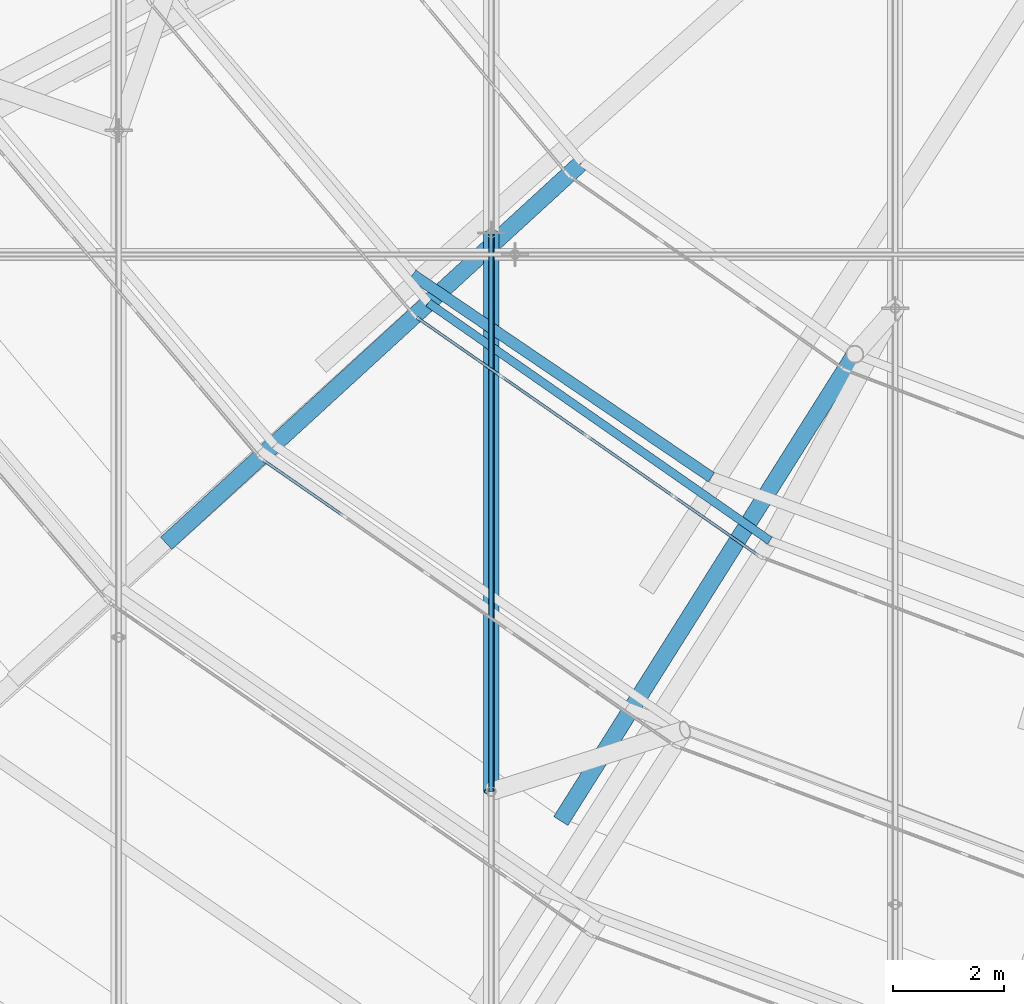
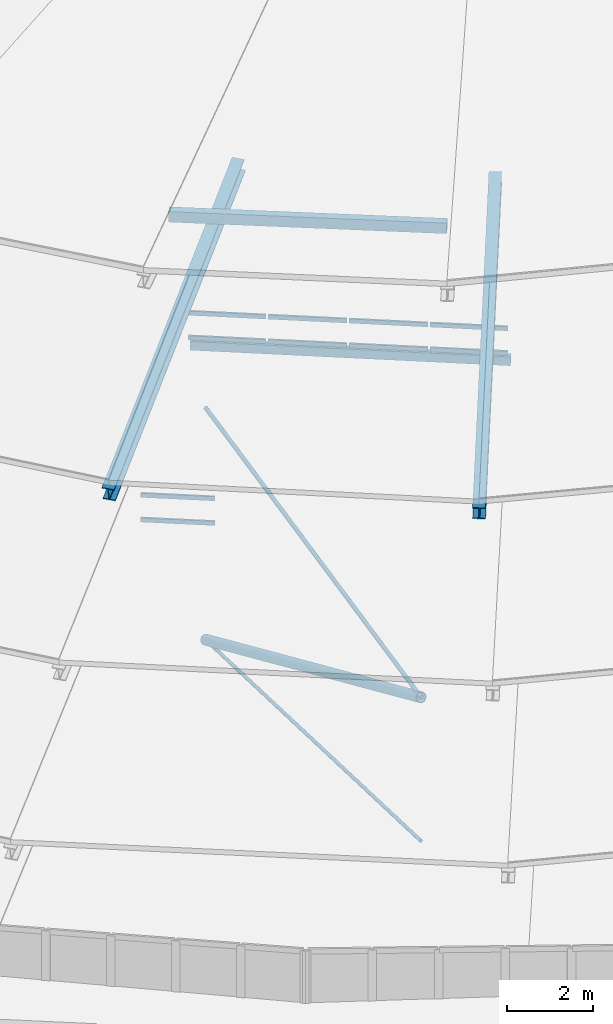
# One storey, part 6 of 173: 17 members, 2 elements without a shape of their own.
"""IFC4 building model written with IfcOpenShell, lengths in metres."""

from ifc_helpers import new_model, si_unit, direction, frame, origin, origin_2d, place, context, subcontext, project, spatial, rectangle, hollow_rectangle, circle, hollow_circle, i_section, extrude, material, material_profile, profile_set, type_object, element, aggregate, save


model = new_model("IFC4")

# Units and contexts
model_context = context("Model", 3, precision=1e-05, world=origin(), true_north=direction((0.0, 1.0)))
body_context = subcontext(model_context, "Body", "Model", "MODEL_VIEW")
ifc_project = project(units=[si_unit("LENGTHUNIT", "METRE"), si_unit("AREAUNIT", "SQUARE_METRE"), si_unit("VOLUMEUNIT", "CUBIC_METRE"), si_unit("PLANEANGLEUNIT", "RADIAN"), si_unit("MASSUNIT", "GRAM", prefix="KILO")], contexts=[model_context])

# Site, building, storey
site_placement = place(None, origin())
site = spatial("IfcSite", under=ifc_project, at=site_placement, CompositionType="ELEMENT")
building_placement = place(site_placement, origin())
building = spatial("IfcBuilding", under=site, at=building_placement, Name="Glasvene Arena", CompositionType="ELEMENT")
storey_placement = place(building_placement, frame((0.0, 0.0, 28.800048828125)))
storey = spatial("IfcBuildingStorey", under=building, at=storey_placement, Name="RF", CompositionType="ELEMENT", Elevation=28.800048828125)

# Curtain wall, members
ifc_material_1 = material(Name="Low-emissivity laminated double glazing", Category="glass")
curtain_wall_type_1 = type_object("IfcCurtainWallType", Name="CW-PET2-905x75", PredefinedType="USERDEFINED", material=ifc_material_1)
curtain_wall_1_placement = place(storey_placement, frame((65.164794921875, 48.904296875, 0.0)))
curtain_wall_1 = element("IfcCurtainWall", 1, at=curtain_wall_1_placement, inside=storey, type_object=curtain_wall_type_1, Name="Petal ring 2-3 clerestory curtain wall 16", ObjectType="CURTAIN WALL", PredefinedType="USERDEFINED")
ifc_material_2 = material(Name="Anodised architectural aluminium", Category="aluminium")
ifc_material_profile_1 = material_profile(ifc_material_2, rectangle(XDim=0.050048828125, YDim=0.1201171875, at=origin_2d()), Name="ALU TRANSOM 50x120")
ifc_profile_set_1 = profile_set([ifc_material_profile_1], Name="Anodised architectural aluminium")
member_type_1 = type_object("IfcMemberType", Name="CW-TRN-120", PredefinedType="USERDEFINED", material=ifc_profile_set_1)
member_1_placement = place(storey_placement, frame((65.2060546875, 48.8759765625, 5.204833984375), z_axis=(0.821644611614, -0.57000011597, 0.0), x_axis=(0.57000011597, 0.821644611614, 0.0)))
member_1 = element("IfcMember", 2, at=member_1_placement, type_object=member_type_1, Name="CW-090 transom 1.1", ObjectType="TRANSOM", PredefinedType="USERDEFINED", context=body_context, shape_type="SweptSolid", body=[
    extrude(rectangle(XDim=0.050048828125, YDim=0.1201171875, at=origin_2d()), origin(), (0.0, 0.0, 1.0), 1.734619140625),
])
member_2_placement = place(storey_placement, frame((65.2060546875, 48.8759765625, 5.905029296875), z_axis=(0.821644611614, -0.57000011597, 0.0), x_axis=(0.57000011597, 0.821644611614, 0.0)))
member_2 = element("IfcMember", 3, at=member_2_placement, type_object=member_type_1, Name="CW-090 transom 1.2", ObjectType="TRANSOM", PredefinedType="USERDEFINED", context=body_context, shape_type="SweptSolid", body=[
    extrude(rectangle(XDim=0.050048828125, YDim=0.1201171875, at=origin_2d()), origin(), (0.0, 0.0, 1.0), 1.734619140625),
])
aggregate(curtain_wall_1, [member_1, member_2])

curtain_wall_type_2 = type_object("IfcCurtainWallType", Name="CW-PET3-756x75", PredefinedType="USERDEFINED", material=ifc_material_1)
curtain_wall_2_placement = place(storey_placement, frame((67.922119140625, 51.466796875, 0.0)))
curtain_wall_2 = element("IfcCurtainWall", 4, at=curtain_wall_2_placement, inside=storey, type_object=curtain_wall_type_2, Name="Petal ring 3-4 clerestory curtain wall 16", ObjectType="CURTAIN WALL", PredefinedType="USERDEFINED")
member_3_placement = place(storey_placement, frame((67.963134765625, 51.438232421875, 7.85498046875), z_axis=(0.82043066746, -0.571746027438, 0.0), x_axis=(0.571746027438, 0.82043066746, 0.0)))
member_3 = element("IfcMember", 5, at=member_3_placement, type_object=member_type_1, Name="CW-096 transom 1.1", ObjectType="TRANSOM", PredefinedType="USERDEFINED", context=body_context, shape_type="SweptSolid", body=[
    extrude(rectangle(XDim=0.050048828125, YDim=0.1201171875, at=origin_2d()), origin(), (0.0, 0.0, 1.0), 1.815185546875),
])
member_4_placement = place(storey_placement, frame((67.963134765625, 51.438232421875, 8.554931640625), z_axis=(0.82043066746, -0.571746027438, 0.0), x_axis=(0.571746027438, 0.82043066746, 0.0)))
member_4 = element("IfcMember", 6, at=member_4_placement, type_object=member_type_1, Name="CW-096 transom 1.2", ObjectType="TRANSOM", PredefinedType="USERDEFINED", context=body_context, shape_type="SweptSolid", body=[
    extrude(rectangle(XDim=0.050048828125, YDim=0.1201171875, at=origin_2d()), origin(), (0.0, 0.0, 1.0), 1.815185546875),
])
member_5_placement = place(storey_placement, frame((69.493408203125, 50.371826171875, 7.85498046875), z_axis=(0.820401938447, -0.571787250114, 0.0), x_axis=(0.571787250114, 0.820401938447, 0.0)))
member_5 = element("IfcMember", 7, at=member_5_placement, type_object=member_type_1, Name="CW-096 transom 2.1", ObjectType="TRANSOM", PredefinedType="USERDEFINED", context=body_context, shape_type="SweptSolid", body=[
    extrude(rectangle(XDim=0.050048828125, YDim=0.1201171875, at=origin_2d()), origin(), (0.0, 0.0, 1.0), 1.84033203125),
])
member_6_placement = place(storey_placement, frame((69.493408203125, 50.371826171875, 8.554931640625), z_axis=(0.820401938447, -0.571787250114, 0.0), x_axis=(0.571787250114, 0.820401938447, 0.0)))
member_6 = element("IfcMember", 8, at=member_6_placement, type_object=member_type_1, Name="CW-096 transom 2.2", ObjectType="TRANSOM", PredefinedType="USERDEFINED", context=body_context, shape_type="SweptSolid", body=[
    extrude(rectangle(XDim=0.050048828125, YDim=0.1201171875, at=origin_2d()), origin(), (0.0, 0.0, 1.0), 1.84033203125),
])
member_7_placement = place(storey_placement, frame((71.044189453125, 49.291015625, 7.85498046875), z_axis=(0.820420800475, -0.571760185872, 0.0), x_axis=(0.571760185872, 0.820420800475, 0.0)))
member_7 = element("IfcMember", 9, at=member_7_placement, type_object=member_type_1, Name="CW-096 transom 3.1", ObjectType="TRANSOM", PredefinedType="USERDEFINED", context=body_context, shape_type="SweptSolid", body=[
    extrude(rectangle(XDim=0.050048828125, YDim=0.1201171875, at=origin_2d()), origin(), (0.0, 0.0, 1.0), 1.83984375),
])
member_8_placement = place(storey_placement, frame((71.044189453125, 49.291015625, 8.554931640625), z_axis=(0.820420800475, -0.571760185872, 0.0), x_axis=(0.571760185872, 0.820420800475, 0.0)))
member_8 = element("IfcMember", 10, at=member_8_placement, type_object=member_type_1, Name="CW-096 transom 3.2", ObjectType="TRANSOM", PredefinedType="USERDEFINED", context=body_context, shape_type="SweptSolid", body=[
    extrude(rectangle(XDim=0.050048828125, YDim=0.1201171875, at=origin_2d()), origin(), (0.0, 0.0, 1.0), 1.83984375),
])
member_9_placement = place(storey_placement, frame((72.5947265625, 48.21044921875, 7.85498046875), z_axis=(0.82043066746, -0.571746027438, 0.0), x_axis=(0.571746027438, 0.82043066746, 0.0)))
member_9 = element("IfcMember", 11, at=member_9_placement, type_object=member_type_1, Name="CW-096 transom 4.1", ObjectType="TRANSOM", PredefinedType="USERDEFINED", context=body_context, shape_type="SweptSolid", body=[
    extrude(rectangle(XDim=0.050048828125, YDim=0.1201171875, at=origin_2d()), origin(), (0.0, 0.0, 1.0), 1.815185546875),
])
member_10_placement = place(storey_placement, frame((72.5947265625, 48.21044921875, 8.554931640625), z_axis=(0.82043066746, -0.571746027438, 0.0), x_axis=(0.571746027438, 0.82043066746, 0.0)))
member_10 = element("IfcMember", 12, at=member_10_placement, type_object=member_type_1, Name="CW-096 transom 4.2", ObjectType="TRANSOM", PredefinedType="USERDEFINED", context=body_context, shape_type="SweptSolid", body=[
    extrude(rectangle(XDim=0.050048828125, YDim=0.1201171875, at=origin_2d()), origin(), (0.0, 0.0, 1.0), 1.815185546875),
])
aggregate(curtain_wall_2, [member_3, member_4, member_5, member_6, member_7, member_8, member_9, member_10])

# Members
ifc_material_3 = material(Name="High-strength steel spiral strand S460", Category="steel")
ifc_material_profile_2 = material_profile(ifc_material_3, circle(Radius=0.052490234375, at=origin_2d()), Name="LCSS D105")
ifc_profile_set_2 = profile_set([ifc_material_profile_2], Name="High-strength steel spiral strand S460")
member_type_2 = type_object("IfcMemberType", Name="MB-CABLE-105", PredefinedType="USERDEFINED", material=ifc_profile_set_2)
member_11_placement = place(storey_placement, frame((69.300537109375, 42.928466796875, 2.328857421875), z_axis=(0.0, 0.977881115571, 0.209161477835), x_axis=(-1.0, 0.0, 0.0)))
element("IfcMember", 13, at=member_11_placement, inside=storey, type_object=member_type_2, Name="Upper lens roof cable NS08-02", ObjectType="ROOF CABLE", PredefinedType="USERDEFINED", context=body_context, shape_type="SweptSolid", body=[
    extrude(circle(Radius=0.052490234375, at=origin_2d()), origin(), (0.0, 0.0, 1.0), 10.250732421875),
])
ifc_material_profile_3 = material_profile(ifc_material_3, circle(Radius=0.044921875, at=origin_2d()), Name="LCSS D90")
ifc_profile_set_3 = profile_set([ifc_material_profile_3], Name="High-strength steel spiral strand S460")
member_type_3 = type_object("IfcMemberType", Name="MB-CABLE-90", PredefinedType="USERDEFINED", material=ifc_profile_set_3)
member_12_placement = place(storey_placement, frame((69.300537109375, 42.928466796875, -1.753173828125), z_axis=(0.0, 0.999357945896, -0.035828703209), x_axis=(-1.0, 0.0, 0.0)))
element("IfcMember", 14, at=member_12_placement, inside=storey, type_object=member_type_3, Name="Lower stabilization roof cable NS08-02", ObjectType="ROOF CABLE", PredefinedType="USERDEFINED", context=body_context, shape_type="SweptSolid", body=[
    extrude(circle(Radius=0.044921875, at=origin_2d()), origin(), (0.0, 0.0, 1.0), 10.0302734375),
])
ifc_material_4 = material(Name="Steel S355J2", Category="steel")
ifc_material_profile_4 = material_profile(ifc_material_4, i_section(OverallWidth=0.300048828125, OverallDepth=0.39990234375, WebThickness=0.013427734375, FlangeThickness=0.02392578125, FilletRadius=0.027099609375, at=origin_2d()), Name="HEB 400")
ifc_profile_set_4 = profile_set([ifc_material_profile_4], Name="Steel S355J2")
member_type_4 = type_object("IfcMemberType", Name="MB-CHORD-HEB400", PredefinedType="CHORD", material=ifc_profile_set_4)
member_13_placement = place(storey_placement, frame((63.502197265625, 47.41748046875, 7.39990234375), z_axis=(0.712930827017, 0.653433969232, 0.254467451245), x_axis=(-0.675676329255, 0.737198411613, 0.0)))
element("IfcMember", 15, at=member_13_placement, inside=storey, type_object=member_type_4, Name="Petal ring 4 radial rib 16", PredefinedType="CHORD", context=body_context, shape_type="SweptSolid", body=[
    extrude(i_section(OverallWidth=0.300048828125, OverallDepth=0.39990234375, WebThickness=0.013427734375, FlangeThickness=0.02392578125, FilletRadius=0.027099609375, at=origin_2d()), origin(), (0.0, 0.0, 1.0), 10.41455078125),
])
member_14_placement = place(storey_placement, frame((70.574951171875, 42.443359375, 7.39990234375), z_axis=(0.514683099952, 0.817068994892, 0.259806782458), x_axis=(-0.8461243803, 0.532985490479, 0.0)))
element("IfcMember", 16, at=member_14_placement, inside=storey, type_object=member_type_4, Name="Petal ring 4 radial rib 17", PredefinedType="CHORD", context=body_context, shape_type="SweptSolid", body=[
    extrude(i_section(OverallWidth=0.300048828125, OverallDepth=0.39990234375, WebThickness=0.013427734375, FlangeThickness=0.02392578125, FilletRadius=0.027099609375, at=origin_2d()), origin(), (0.0, 0.0, 1.0), 10.200439453125),
])
ifc_material_profile_5 = material_profile(ifc_material_4, hollow_rectangle(XDim=0.14990234375, YDim=0.25, WallThickness=0.010009765625, at=origin_2d()), Name="RHS 250x150x10.0")
ifc_profile_set_5 = profile_set([ifc_material_profile_5], Name="Steel S355J2")
member_type_5 = type_object("IfcMemberType", Name="MB-PURLIN-RHS250", PredefinedType="PURLIN", material=ifc_profile_set_5)
member_15_placement = place(storey_placement, frame((68.169677734375, 51.700927734375, 7.431884765625), z_axis=(0.82056536326, -0.571552696273, 0.0), x_axis=(0.571552696273, 0.82056536326, 0.0)))
element("IfcMember", 17, at=member_15_placement, inside=storey, type_object=member_type_5, Name="Petal ring 3 ridge purlin 16", PredefinedType="PURLIN", context=body_context, shape_type="SweptSolid", body=[
    extrude(hollow_rectangle(XDim=0.14990234375, YDim=0.25, WallThickness=0.010009765625, at=origin_2d()), origin(), (0.0, 0.0, 1.0), 7.470947265625),
])
ifc_material_profile_6 = material_profile(ifc_material_4, hollow_rectangle(XDim=0.199951171875, YDim=0.300048828125, WallThickness=0.012451171875, at=origin_2d()), Name="RHS 300x200x12.5")
ifc_profile_set_6 = profile_set([ifc_material_profile_6], Name="Steel S355J2")
member_type_6 = type_object("IfcMemberType", Name="MB-PURLIN-RHS300", PredefinedType="PURLIN", material=ifc_profile_set_6)
member_16_placement = place(storey_placement, frame((67.885986328125, 52.207275390625, 10.9013671875), z_axis=(0.827526396044, -0.56142681077, 0.0), x_axis=(0.56142681077, 0.827526396044, 0.0)))
element("IfcMember", 18, at=member_16_placement, inside=storey, type_object=member_type_6, Name="Petal ring 5 outer purlin 16", PredefinedType="PURLIN", context=body_context, shape_type="SweptSolid", body=[
    extrude(hollow_rectangle(XDim=0.199951171875, YDim=0.300048828125, WallThickness=0.012451171875, at=origin_2d()), origin(), (0.0, 0.0, 1.0), 6.48193359375),
])
ifc_material_profile_7 = material_profile(ifc_material_4, hollow_circle(Radius=0.136474609375, WallThickness=0.012451171875, at=origin_2d()), Name="CHS 273.0x12.5")
ifc_profile_set_7 = profile_set([ifc_material_profile_7], Name="Steel S355J2")
member_type_7 = type_object("IfcMemberType", Name="MB-WEB-CHS273", PredefinedType="BRACE", material=ifc_profile_set_7)
member_17_placement = place(storey_placement, frame((69.300537109375, 42.928466796875, 2.328857421875), z_axis=(0.0, 0.914273759487, -0.405096892995), x_axis=(-1.0, 0.0, 0.0)))
element("IfcMember", 19, at=member_17_placement, inside=storey, type_object=member_type_7, Name="Cable-truss diagonal web strut NS08-02", PredefinedType="BRACE", context=body_context, shape_type="SweptSolid", body=[
    extrude(hollow_circle(Radius=0.136474609375, WallThickness=0.012451171875, at=origin_2d()), origin(), (0.0, 0.0, 1.0), 10.9638671875),
])

save(model, "model.ifc")
